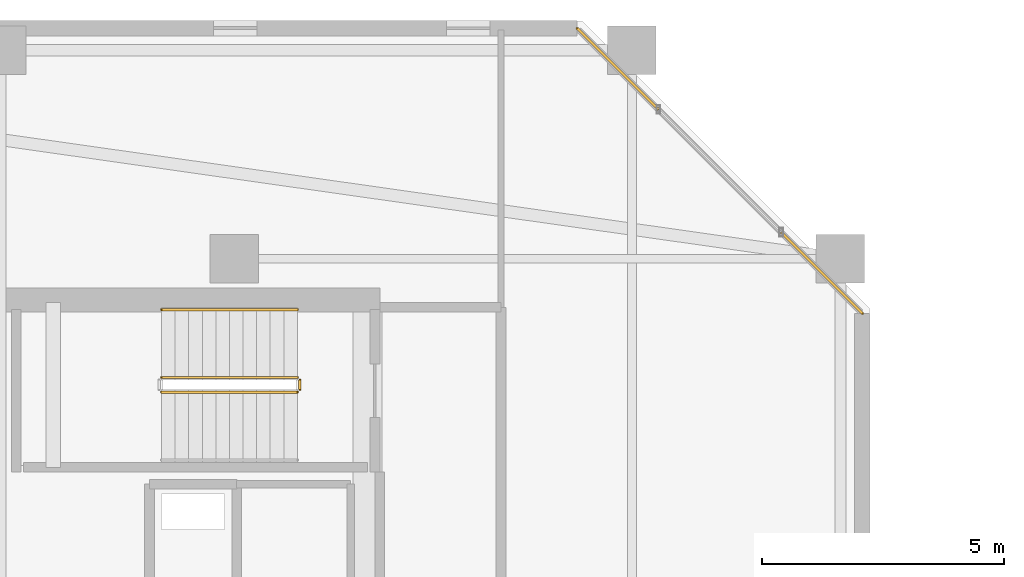
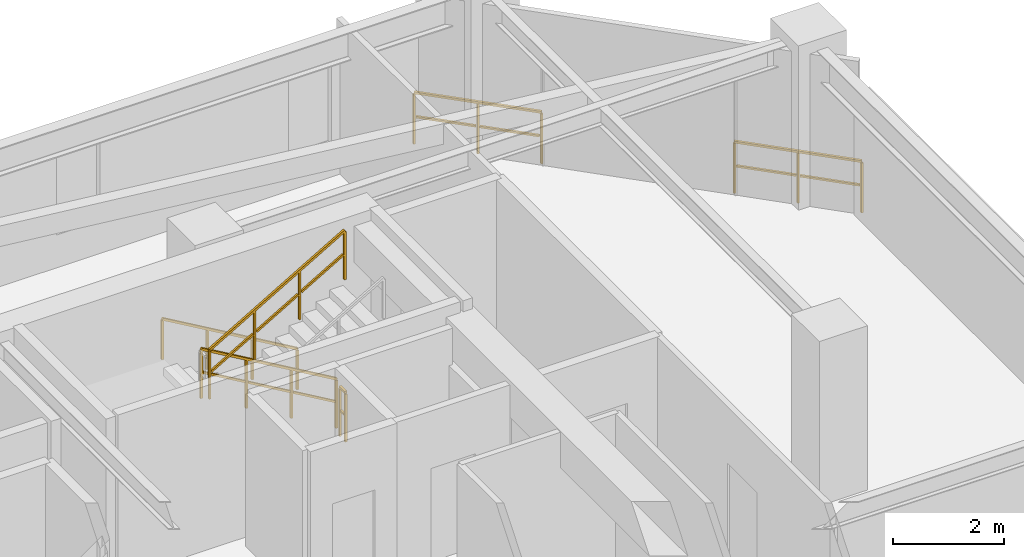
# One storey, part 29 of 31: 6 railings.
"""IFC4 building model written with IfcOpenShell, lengths in metres."""

from ifc_helpers import new_model, si_unit, direction, frame, origin, origin_2d, place, context, subcontext, project, spatial, rectangle, extrude, material, type_object, element, save


model = new_model("IFC4")

# Units and contexts
model_context = context("Model", 3, precision=1e-05, world=origin(), true_north=direction((0.0, 1.0)))
body_context = subcontext(model_context, "Body", "Model", "MODEL_VIEW")
ifc_project = project(units=[si_unit("LENGTHUNIT", "METRE"), si_unit("AREAUNIT", "SQUARE_METRE"), si_unit("VOLUMEUNIT", "CUBIC_METRE"), si_unit("PLANEANGLEUNIT", "RADIAN"), si_unit("MASSUNIT", "GRAM", prefix="KILO")], contexts=[model_context])

# Site, building, storey
site_placement = place(None, origin())
site = spatial("IfcSite", under=ifc_project, at=site_placement, CompositionType="ELEMENT")
building_placement = place(site_placement, origin())
building = spatial("IfcBuilding", under=site, at=building_placement, Name="Thornwick Lancets Civic Towers", CompositionType="ELEMENT")
storey_placement = place(building_placement, frame((0.0, 0.0, 233.10009765625)))
storey = spatial("IfcBuildingStorey", under=building, at=storey_placement, Name="L62", CompositionType="ELEMENT", Elevation=233.10009765625)

# Railings
ifc_material_1 = material(Name="Brushed stainless steel S355", Category="steel")
railing_type_1 = type_object("IfcRailingType", Name="RAIL_HANDRAIL", PredefinedType="HANDRAIL", material=ifc_material_1)
railing_1_placement = place(storey_placement, frame((31.60009765625, 38.949951171875, 0.16357421875)))
element("IfcRailing", 1, at=railing_1_placement, inside=storey, type_object=railing_type_1, Name="L62 ST-A2 stair handrail 1", PredefinedType="HANDRAIL", context=body_context, shape_type="SweptSolid", body=[
    extrude(rectangle(XDim=0.048095703125, YDim=0.048095703125, at=origin_2d()), frame((0.0, 0.0, 0.8857421875), z_axis=(-0.863393664356, 0.0, 0.504530851732), x_axis=(0.0, -1.0, 0.0)), (0.0, 0.0, 1.0), 3.2431640625),
    extrude(rectangle(XDim=0.0419921875, YDim=0.0419921875, at=origin_2d()), origin(), (0.0, 0.0, 1.0), 0.855712890625),
    extrude(rectangle(XDim=0.0419921875, YDim=0.0419921875, at=origin_2d()), frame((-0.933349609375, 0.0, 0.54541015625)), (0.0, 0.0, 1.0), 0.855712890625),
    extrude(rectangle(XDim=0.0419921875, YDim=0.0419921875, at=origin_2d()), frame((-1.86669921875, 0.0, 1.0908203125)), (0.0, 0.0, 1.0), 0.855712890625),
    extrude(rectangle(XDim=0.0419921875, YDim=0.0419921875, at=origin_2d()), frame((-2.800048828125, 0.0, 1.63623046875)), (0.0, 0.0, 1.0), 0.855712890625),
])
ifc_material_2 = material(Name="Steel S355JR", Category="steel")
railing_type_2 = type_object("IfcRailingType", Name="RAIL_STAIR_GUARD", PredefinedType="GUARDRAIL", material=ifc_material_2)
railing_2_placement = place(storey_placement, frame((31.60009765625, 37.550048828125, 0.16357421875)))
element("IfcRailing", 2, at=railing_2_placement, inside=storey, type_object=railing_type_2, Name="L62 ST-A2 stair guard 1", PredefinedType="GUARDRAIL", context=body_context, shape_type="SweptSolid", body=[
    extrude(rectangle(XDim=0.048095703125, YDim=0.048095703125, at=origin_2d()), frame((0.0, 0.0, 1.076171875), z_axis=(-0.863393664356, 0.0, 0.504530851732), x_axis=(0.0, -1.0, 0.0)), (0.0, 0.0, 1.0), 3.2431640625),
    extrude(rectangle(XDim=0.0419921875, YDim=0.0419921875, at=origin_2d()), frame((-0.032470703125, 0.0, 0.591064453125), z_axis=(-0.863393664356, 0.0, 0.504530851732), x_axis=(0.0, -1.0, 0.0)), (0.0, 0.0, 1.0), 1.006103515625),
    extrude(rectangle(XDim=0.0419921875, YDim=0.0419921875, at=origin_2d()), frame((-0.9658203125, 0.0, 1.136474609375), z_axis=(-0.863393664356, 0.0, 0.504530851732), x_axis=(0.0, -1.0, 0.0)), (0.0, 0.0, 1.0), 1.006103515625),
    extrude(rectangle(XDim=0.0419921875, YDim=0.0419921875, at=origin_2d()), frame((-1.899169921875, 0.0, 1.681884765625), z_axis=(-0.863393664356, 0.0, 0.504530851732), x_axis=(0.0, -1.0, 0.0)), (0.0, 0.0, 1.0), 1.006103515625),
    extrude(rectangle(XDim=0.0419921875, YDim=0.0419921875, at=origin_2d()), origin(), (0.0, 0.0, 1.0), 1.0458984375),
    extrude(rectangle(XDim=0.0419921875, YDim=0.0419921875, at=origin_2d()), frame((-0.933349609375, 0.0, 0.54541015625)), (0.0, 0.0, 1.0), 1.0458984375),
    extrude(rectangle(XDim=0.0419921875, YDim=0.0419921875, at=origin_2d()), frame((-1.86669921875, 0.0, 1.0908203125)), (0.0, 0.0, 1.0), 1.0458984375),
    extrude(rectangle(XDim=0.0419921875, YDim=0.0419921875, at=origin_2d()), frame((-2.800048828125, 0.0, 1.63623046875)), (0.0, 0.0, 1.0), 1.0458984375),
])
railing_3_placement = place(storey_placement, frame((28.800048828125, 37.25, 1.963623046875)))
element("IfcRailing", 3, at=railing_3_placement, inside=storey, type_object=railing_type_2, Name="L62 ST-A2 stair guard 3", PredefinedType="GUARDRAIL", context=body_context, shape_type="SweptSolid", body=[
    extrude(rectangle(XDim=0.048095703125, YDim=0.048095703125, at=origin_2d()), frame((0.0, 0.0, 1.076171875), z_axis=(0.863393664356, 0.0, 0.504530851732), x_axis=(0.0, 1.0, 0.0)), (0.0, 0.0, 1.0), 3.2431640625),
    extrude(rectangle(XDim=0.0419921875, YDim=0.0419921875, at=origin_2d()), frame((0.032470703125, 0.0, 0.591064453125), z_axis=(0.863393664356, 0.0, 0.504530851732), x_axis=(0.0, 1.0, 0.0)), (0.0, 0.0, 1.0), 1.006103515625),
    extrude(rectangle(XDim=0.0419921875, YDim=0.0419921875, at=origin_2d()), frame((0.9658203125, 0.0, 1.136474609375), z_axis=(0.863393664356, 0.0, 0.504530851732), x_axis=(0.0, 1.0, 0.0)), (0.0, 0.0, 1.0), 1.006103515625),
    extrude(rectangle(XDim=0.0419921875, YDim=0.0419921875, at=origin_2d()), frame((1.899169921875, 0.0, 1.681884765625), z_axis=(0.863393664356, 0.0, 0.504530851732), x_axis=(0.0, 1.0, 0.0)), (0.0, 0.0, 1.0), 1.006103515625),
    extrude(rectangle(XDim=0.0419921875, YDim=0.0419921875, at=origin_2d()), origin(), (0.0, 0.0, 1.0), 1.0458984375),
    extrude(rectangle(XDim=0.0419921875, YDim=0.0419921875, at=origin_2d()), frame((0.933349609375, 0.0, 0.54541015625)), (0.0, 0.0, 1.0), 1.0458984375),
    extrude(rectangle(XDim=0.0419921875, YDim=0.0419921875, at=origin_2d()), frame((1.86669921875, 0.0, 1.0908203125)), (0.0, 0.0, 1.0), 1.0458984375),
    extrude(rectangle(XDim=0.0419921875, YDim=0.0419921875, at=origin_2d()), frame((2.800048828125, 0.0, 1.63623046875)), (0.0, 0.0, 1.0), 1.0458984375),
])
railing_4_placement = place(storey_placement, frame((31.64990234375, 37.5, 0.0)))
element("IfcRailing", 4, at=railing_4_placement, inside=storey, type_object=railing_type_2, Name="L62 ST-A2 stair guard 4", PredefinedType="GUARDRAIL", context=body_context, shape_type="SweptSolid", body=[
    extrude(rectangle(XDim=0.048095703125, YDim=0.048095703125, at=origin_2d()), frame((0.0, 0.0, 1.076171875), z_axis=(0.0, -1.0, 0.0), x_axis=(1.0, 0.0, 0.0)), (0.0, 0.0, 1.0), 0.199951171875),
    extrude(rectangle(XDim=0.0419921875, YDim=0.0419921875, at=origin_2d()), frame((0.0, -0.03759765625, 0.572021484375), z_axis=(0.0, -1.0, 0.0), x_axis=(1.0, 0.0, 0.0)), (0.0, 0.0, 1.0), 0.125),
    extrude(rectangle(XDim=0.0419921875, YDim=0.0419921875, at=origin_2d()), origin(), (0.0, 0.0, 1.0), 1.0458984375),
    extrude(rectangle(XDim=0.0419921875, YDim=0.0419921875, at=origin_2d()), frame((0.0, -0.199951171875, 0.0)), (0.0, 0.0, 1.0), 1.0458984375),
])
ifc_material_3 = material(Name="Terracotta-capped laminated glass balustrade S355", Category="masonry")
railing_type_3 = type_object("IfcRailingType", Name="RAIL_TERR_GUARD", PredefinedType="GUARDRAIL", material=ifc_material_3)
for number, where, name in (
    (5, (43.253662109375, 38.872314453125, 0.0), "L62 Tower A Chamfer Spandrel Guard E3-1"),
    (6, (39.046875, 43.0791015625, 0.0), "L62 Tower A Chamfer Spandrel Guard E3-2"),
):
    element("IfcRailing", number, at=place(storey_placement, frame(where)), inside=storey, type_object=railing_type_3, Name=name, PredefinedType="GUARDRAIL", context=body_context, shape_type="SweptSolid", body=[
        extrude(rectangle(XDim=0.048095703125, YDim=0.048095703125, at=origin_2d()), frame((0.0, 0.0, 1.1259765625), z_axis=(-0.707106781187, 0.707106781187, 0.0), x_axis=(-0.707106781187, -0.707106781187, 0.0)), (0.0, 0.0, 1.0), 2.3681640625),
        extrude(rectangle(XDim=0.0419921875, YDim=0.0419921875, at=origin_2d()), frame((-0.026611328125, 0.026611328125, 0.597900390625), z_axis=(-0.707106781187, 0.707106781187, 0.0), x_axis=(-0.707106781187, -0.707106781187, 0.0)), (0.0, 0.0, 1.0), 1.109130859375),
        extrude(rectangle(XDim=0.0419921875, YDim=0.0419921875, at=origin_2d()), frame((-0.86376953125, 0.86376953125, 0.597900390625), z_axis=(-0.707106781187, 0.707106781187, 0.0), x_axis=(-0.707106781187, -0.707106781187, 0.0)), (0.0, 0.0, 1.0), 1.109130859375),
        extrude(rectangle(XDim=0.0419921875, YDim=0.0419921875, at=origin_2d()), origin(), (0.0, 0.0, 1.0), 1.095703125),
        extrude(rectangle(XDim=0.0419921875, YDim=0.0419921875, at=origin_2d()), frame((-0.83740234375, 0.83740234375, 0.0)), (0.0, 0.0, 1.0), 1.095703125),
        extrude(rectangle(XDim=0.0419921875, YDim=0.0419921875, at=origin_2d()), frame((-1.674560546875, 1.674560546875, 0.0)), (0.0, 0.0, 1.0), 1.095703125),
    ])

save(model, "model.ifc")
